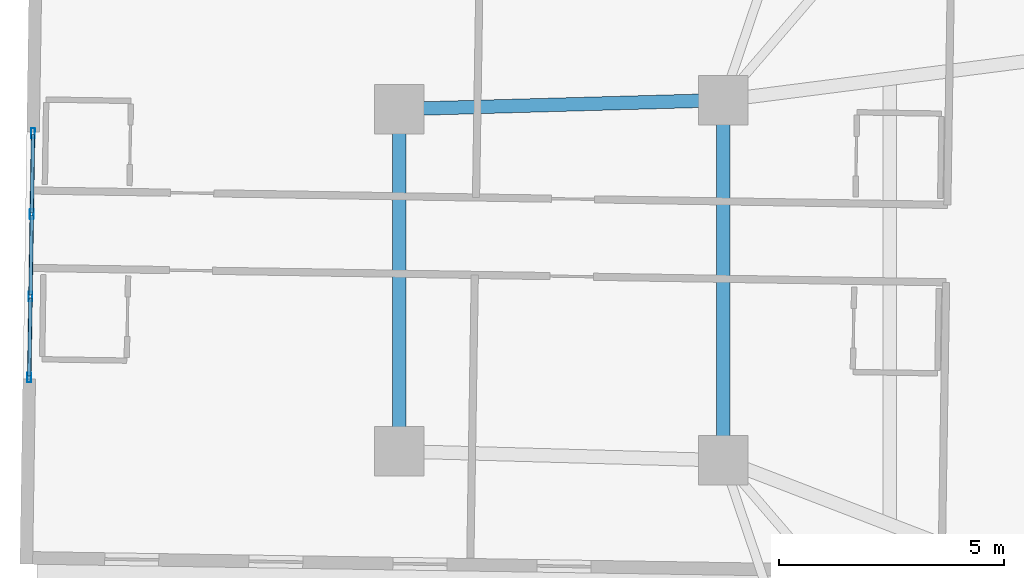
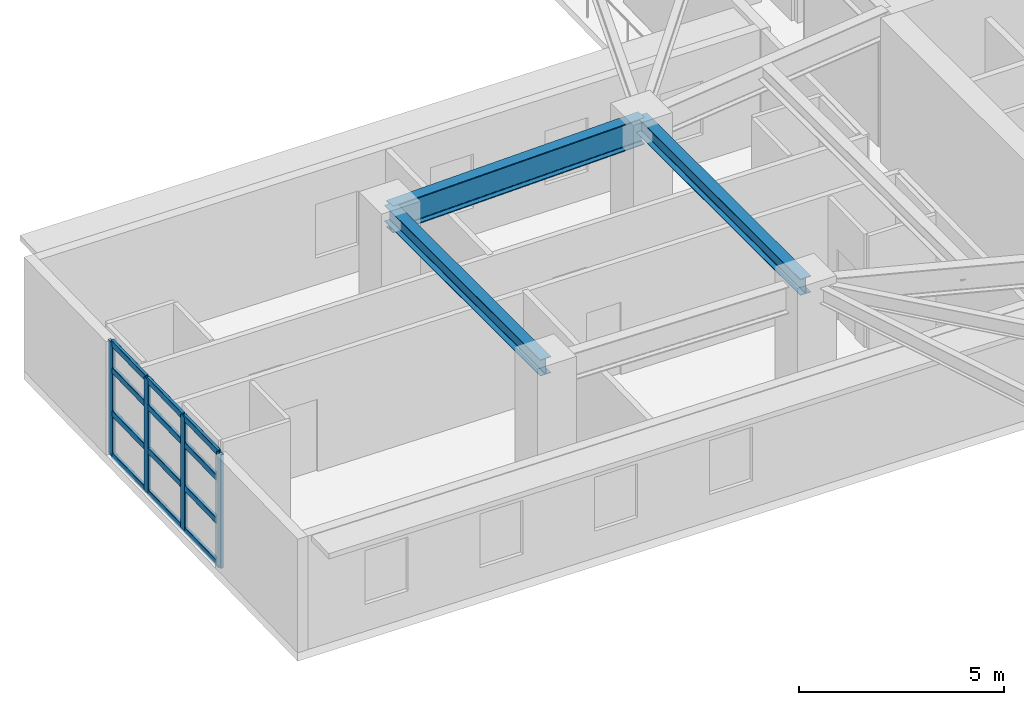
# One storey, part 6 of 22: 16 members, 3 beams, 1 element without a shape of its own.
"""IFC4 building model written with IfcOpenShell, lengths in metres."""

from ifc_helpers import new_model, si_unit, direction, frame, origin, origin_2d, place, context, subcontext, project, spatial, hollow_rectangle, i_section, extrude, material, layer, layer_set, material_profile, profile_set, type_object, element, aggregate, save


model = new_model("IFC4")

# Units and contexts
model_context = context("Model", 3, precision=1e-05, world=origin(), true_north=direction((0.0, 1.0)))
body_context = subcontext(model_context, "Body", "Model", "MODEL_VIEW")
ifc_project = project(units=[si_unit("LENGTHUNIT", "METRE"), si_unit("AREAUNIT", "SQUARE_METRE"), si_unit("VOLUMEUNIT", "CUBIC_METRE"), si_unit("PLANEANGLEUNIT", "RADIAN"), si_unit("MASSUNIT", "GRAM", prefix="KILO")], contexts=[model_context])

# Site, building, storey
site_placement = place(None, origin())
site = spatial("IfcSite", under=ifc_project, at=site_placement, CompositionType="ELEMENT")
building_placement = place(site_placement, origin())
building = spatial("IfcBuilding", under=site, at=building_placement, Name="Qingluan Cross Belvedere", CompositionType="ELEMENT")
storey_placement = place(building_placement, frame((0.0, 0.0, 100.199951171875)))
storey = spatial("IfcBuildingStorey", under=building, at=storey_placement, Name="L25", CompositionType="ELEMENT", Elevation=100.199951171875)

# Curtain wall, members
ifc_material_1 = material(Name="Thermally broken aluminium and Low-E glass", Category="aluminium")
ifc_layer = layer(ifc_material_1, 0.199951171875, Name="UnitisedCW_SkyLobbyLow")
ifc_layer_set = layer_set([ifc_layer], Name="Thermally broken aluminium and Low-E glass")
curtain_wall_type = type_object("IfcCurtainWallType", Name="UnitisedCW_SkyLobbyLow", PredefinedType="USERDEFINED", material=ifc_layer_set)
curtain_wall_placement = place(storey_placement, origin())
curtain_wall = element("IfcCurtainWall", 1, at=curtain_wall_placement, inside=storey, type_object=curtain_wall_type, Name="UnitisedCW_SkyLobbyLow run env:cw:L25:W", ObjectType="UNITISED CURTAIN WALL", PredefinedType="USERDEFINED")
ifc_material_2 = material(Name="Aluminium alloy 6063-T6", Category="aluminium")
ifc_material_profile_1 = material_profile(ifc_material_2, hollow_rectangle(XDim=0.0849609375, YDim=0.219970703125, WallThickness=0.0048828125, InnerFilletRadius=0.0048828125, OuterFilletRadius=0.010009765625, at=origin_2d()), Name="CWM220x85x5")
ifc_profile_set_1 = profile_set([ifc_material_profile_1], Name="Aluminium alloy 6063-T6")
member_type_1 = type_object("IfcMemberType", Name="CWMullion_220", PredefinedType="MULLION", material=ifc_profile_set_1)
member_1_placement = place(storey_placement, frame((-35.133056640625, 3.26611328125, 0.0), z_axis=(0.0, 0.0, 1.0), x_axis=(0.999876636479, -0.015707062874, 0.0)))
member_1 = element("IfcMember", 2, at=member_1_placement, type_object=member_type_1, Name="CW-S1 mullion 1", PredefinedType="MULLION", context=body_context, shape_type="SweptSolid", body=[
    extrude(hollow_rectangle(XDim=0.0849609375, YDim=0.219970703125, WallThickness=0.0048828125, InnerFilletRadius=0.0048828125, OuterFilletRadius=0.010009765625, at=origin_2d()), origin(), (0.0, 0.0, 1.0), 3.380126953125),
])
member_2_placement = place(storey_placement, frame((-35.161376953125, 1.467041015625, 0.0), z_axis=(0.0, 0.0, 1.0), x_axis=(0.999876636479, -0.015707062874, 0.0)))
member_2 = element("IfcMember", 3, at=member_2_placement, type_object=member_type_1, Name="CW-S1 mullion 2", PredefinedType="MULLION", context=body_context, shape_type="SweptSolid", body=[
    extrude(hollow_rectangle(XDim=0.0849609375, YDim=0.219970703125, WallThickness=0.0048828125, InnerFilletRadius=0.0048828125, OuterFilletRadius=0.010009765625, at=origin_2d()), origin(), (0.0, 0.0, 1.0), 3.380126953125),
])
member_3_placement = place(storey_placement, frame((-35.190185546875, -0.362060546875, 0.0), z_axis=(0.0, 0.0, 1.0), x_axis=(0.999876636479, -0.015707062874, 0.0)))
member_3 = element("IfcMember", 4, at=member_3_placement, type_object=member_type_1, Name="CW-S1 mullion 3", PredefinedType="MULLION", context=body_context, shape_type="SweptSolid", body=[
    extrude(hollow_rectangle(XDim=0.0849609375, YDim=0.219970703125, WallThickness=0.0048828125, InnerFilletRadius=0.0048828125, OuterFilletRadius=0.010009765625, at=origin_2d()), origin(), (0.0, 0.0, 1.0), 3.380126953125),
])
member_4_placement = place(storey_placement, frame((-35.21826171875, -2.1611328125, 0.0), z_axis=(0.0, 0.0, 1.0), x_axis=(0.999876636479, -0.015707062874, 0.0)))
member_4 = element("IfcMember", 5, at=member_4_placement, type_object=member_type_1, Name="CW-S1 mullion 4", PredefinedType="MULLION", context=body_context, shape_type="SweptSolid", body=[
    extrude(hollow_rectangle(XDim=0.0849609375, YDim=0.219970703125, WallThickness=0.0048828125, InnerFilletRadius=0.0048828125, OuterFilletRadius=0.010009765625, at=origin_2d()), origin(), (0.0, 0.0, 1.0), 3.380126953125),
])
ifc_material_3 = material(Name="Aluminium alloy 6063-T6", Category="aluminium")
ifc_material_profile_2 = material_profile(ifc_material_3, hollow_rectangle(XDim=0.0849609375, YDim=0.179931640625, WallThickness=0.00390625, InnerFilletRadius=0.00390625, OuterFilletRadius=0.008056640625, at=origin_2d()), Name="CWT180x85x4")
ifc_profile_set_2 = profile_set([ifc_material_profile_2], Name="Aluminium alloy 6063-T6")
member_type_2 = type_object("IfcMemberType", Name="CWTransom_180", PredefinedType="USERDEFINED", material=ifc_profile_set_2)
member_5_placement = place(storey_placement, frame((-35.133544921875, 3.236328125, 0.030029296875), z_axis=(-0.015719562224, -0.999876440048, 0.0), x_axis=(0.999876440048, -0.015719562224, 0.0)))
member_5 = element("IfcMember", 6, at=member_5_placement, type_object=member_type_2, Name="CW-S1 transom 1.1", ObjectType="TRANSOM", PredefinedType="USERDEFINED", context=body_context, shape_type="SweptSolid", body=[
    extrude(hollow_rectangle(XDim=0.0849609375, YDim=0.179931640625, WallThickness=0.00390625, InnerFilletRadius=0.00390625, OuterFilletRadius=0.008056640625, at=origin_2d()), origin(), (0.0, 0.0, 1.0), 1.739501953125),
])
member_6_placement = place(storey_placement, frame((-35.133544921875, 3.236328125, 1.283935546875), z_axis=(-0.015719562224, -0.999876440048, 0.0), x_axis=(0.999876440048, -0.015719562224, 0.0)))
member_6 = element("IfcMember", 7, at=member_6_placement, type_object=member_type_2, Name="CW-S1 transom 1.2", ObjectType="TRANSOM", PredefinedType="USERDEFINED", context=body_context, shape_type="SweptSolid", body=[
    extrude(hollow_rectangle(XDim=0.0849609375, YDim=0.179931640625, WallThickness=0.00390625, InnerFilletRadius=0.00390625, OuterFilletRadius=0.008056640625, at=origin_2d()), origin(), (0.0, 0.0, 1.0), 1.739501953125),
])
member_7_placement = place(storey_placement, frame((-35.133544921875, 3.236328125, 2.569091796875), z_axis=(-0.015719562224, -0.999876440048, 0.0), x_axis=(0.999876440048, -0.015719562224, 0.0)))
member_7 = element("IfcMember", 8, at=member_7_placement, type_object=member_type_2, Name="CW-S1 transom 1.3", ObjectType="TRANSOM", PredefinedType="USERDEFINED", context=body_context, shape_type="SweptSolid", body=[
    extrude(hollow_rectangle(XDim=0.0849609375, YDim=0.179931640625, WallThickness=0.00390625, InnerFilletRadius=0.00390625, OuterFilletRadius=0.008056640625, at=origin_2d()), origin(), (0.0, 0.0, 1.0), 1.739501953125),
])
member_8_placement = place(storey_placement, frame((-35.133544921875, 3.236328125, 3.35009765625), z_axis=(-0.015719562224, -0.999876440048, 0.0), x_axis=(0.999876440048, -0.015719562224, 0.0)))
member_8 = element("IfcMember", 9, at=member_8_placement, type_object=member_type_2, Name="CW-S1 transom 1.4", ObjectType="TRANSOM", PredefinedType="USERDEFINED", context=body_context, shape_type="SweptSolid", body=[
    extrude(hollow_rectangle(XDim=0.0849609375, YDim=0.179931640625, WallThickness=0.00390625, InnerFilletRadius=0.00390625, OuterFilletRadius=0.008056640625, at=origin_2d()), origin(), (0.0, 0.0, 1.0), 1.739501953125),
])
member_9_placement = place(storey_placement, frame((-35.161865234375, 1.43701171875, 0.030029296875), z_axis=(-0.015730871362, -0.999876262188, 0.0), x_axis=(0.999876262188, -0.015730871362, 0.0)))
member_9 = element("IfcMember", 10, at=member_9_placement, type_object=member_type_2, Name="CW-S1 transom 2.1", ObjectType="TRANSOM", PredefinedType="USERDEFINED", context=body_context, shape_type="SweptSolid", body=[
    extrude(hollow_rectangle(XDim=0.0849609375, YDim=0.179931640625, WallThickness=0.00390625, InnerFilletRadius=0.00390625, OuterFilletRadius=0.008056640625, at=origin_2d()), origin(), (0.0, 0.0, 1.0), 1.769287109375),
])
member_10_placement = place(storey_placement, frame((-35.161865234375, 1.43701171875, 1.283935546875), z_axis=(-0.015730871362, -0.999876262188, 0.0), x_axis=(0.999876262188, -0.015730871362, 0.0)))
member_10 = element("IfcMember", 11, at=member_10_placement, type_object=member_type_2, Name="CW-S1 transom 2.2", ObjectType="TRANSOM", PredefinedType="USERDEFINED", context=body_context, shape_type="SweptSolid", body=[
    extrude(hollow_rectangle(XDim=0.0849609375, YDim=0.179931640625, WallThickness=0.00390625, InnerFilletRadius=0.00390625, OuterFilletRadius=0.008056640625, at=origin_2d()), origin(), (0.0, 0.0, 1.0), 1.769287109375),
])
member_11_placement = place(storey_placement, frame((-35.161865234375, 1.43701171875, 2.569091796875), z_axis=(-0.015730871362, -0.999876262188, 0.0), x_axis=(0.999876262188, -0.015730871362, 0.0)))
member_11 = element("IfcMember", 12, at=member_11_placement, type_object=member_type_2, Name="CW-S1 transom 2.3", ObjectType="TRANSOM", PredefinedType="USERDEFINED", context=body_context, shape_type="SweptSolid", body=[
    extrude(hollow_rectangle(XDim=0.0849609375, YDim=0.179931640625, WallThickness=0.00390625, InnerFilletRadius=0.00390625, OuterFilletRadius=0.008056640625, at=origin_2d()), origin(), (0.0, 0.0, 1.0), 1.769287109375),
])
member_12_placement = place(storey_placement, frame((-35.161865234375, 1.43701171875, 3.35009765625), z_axis=(-0.015730871362, -0.999876262188, 0.0), x_axis=(0.999876262188, -0.015730871362, 0.0)))
member_12 = element("IfcMember", 13, at=member_12_placement, type_object=member_type_2, Name="CW-S1 transom 2.4", ObjectType="TRANSOM", PredefinedType="USERDEFINED", context=body_context, shape_type="SweptSolid", body=[
    extrude(hollow_rectangle(XDim=0.0849609375, YDim=0.179931640625, WallThickness=0.00390625, InnerFilletRadius=0.00390625, OuterFilletRadius=0.008056640625, at=origin_2d()), origin(), (0.0, 0.0, 1.0), 1.769287109375),
])
member_13_placement = place(storey_placement, frame((-35.1904296875, -0.39208984375, 0.030029296875), z_axis=(-0.015721768553, -0.999876405359, 0.0), x_axis=(0.999876405359, -0.015721768553, 0.0)))
member_13 = element("IfcMember", 14, at=member_13_placement, type_object=member_type_2, Name="CW-S1 transom 3.1", ObjectType="TRANSOM", PredefinedType="USERDEFINED", context=body_context, shape_type="SweptSolid", body=[
    extrude(hollow_rectangle(XDim=0.0849609375, YDim=0.179931640625, WallThickness=0.00390625, InnerFilletRadius=0.00390625, OuterFilletRadius=0.008056640625, at=origin_2d()), origin(), (0.0, 0.0, 1.0), 1.7392578125),
])
member_14_placement = place(storey_placement, frame((-35.1904296875, -0.39208984375, 1.283935546875), z_axis=(-0.015721768553, -0.999876405359, 0.0), x_axis=(0.999876405359, -0.015721768553, 0.0)))
member_14 = element("IfcMember", 15, at=member_14_placement, type_object=member_type_2, Name="CW-S1 transom 3.2", ObjectType="TRANSOM", PredefinedType="USERDEFINED", context=body_context, shape_type="SweptSolid", body=[
    extrude(hollow_rectangle(XDim=0.0849609375, YDim=0.179931640625, WallThickness=0.00390625, InnerFilletRadius=0.00390625, OuterFilletRadius=0.008056640625, at=origin_2d()), origin(), (0.0, 0.0, 1.0), 1.7392578125),
])
member_15_placement = place(storey_placement, frame((-35.1904296875, -0.39208984375, 2.569091796875), z_axis=(-0.015721768553, -0.999876405359, 0.0), x_axis=(0.999876405359, -0.015721768553, 0.0)))
member_15 = element("IfcMember", 16, at=member_15_placement, type_object=member_type_2, Name="CW-S1 transom 3.3", ObjectType="TRANSOM", PredefinedType="USERDEFINED", context=body_context, shape_type="SweptSolid", body=[
    extrude(hollow_rectangle(XDim=0.0849609375, YDim=0.179931640625, WallThickness=0.00390625, InnerFilletRadius=0.00390625, OuterFilletRadius=0.008056640625, at=origin_2d()), origin(), (0.0, 0.0, 1.0), 1.7392578125),
])
member_16_placement = place(storey_placement, frame((-35.1904296875, -0.39208984375, 3.35009765625), z_axis=(-0.015721768553, -0.999876405359, 0.0), x_axis=(0.999876405359, -0.015721768553, 0.0)))
member_16 = element("IfcMember", 17, at=member_16_placement, type_object=member_type_2, Name="CW-S1 transom 3.4", ObjectType="TRANSOM", PredefinedType="USERDEFINED", context=body_context, shape_type="SweptSolid", body=[
    extrude(hollow_rectangle(XDim=0.0849609375, YDim=0.179931640625, WallThickness=0.00390625, InnerFilletRadius=0.00390625, OuterFilletRadius=0.008056640625, at=origin_2d()), origin(), (0.0, 0.0, 1.0), 1.7392578125),
])
aggregate(curtain_wall, [member_1, member_2, member_3, member_4, member_5, member_6, member_7, member_8, member_9, member_10, member_11, member_12, member_13, member_14, member_15, member_16])

# Beams
ifc_material_4 = material(Name="Steel Q420GJB", Category="steel")
ifc_material_profile_3 = material_profile(ifc_material_4, i_section(OverallWidth=0.300048828125, OverallDepth=0.488037109375, WebThickness=0.010986328125, FlangeThickness=0.01806640625, FilletRadius=0.02197265625, at=origin_2d()), Name="HM488x300x11x18")
ifc_profile_set_3 = profile_set([ifc_material_profile_3], Name="Steel Q420GJB")
beam_type_1 = type_object("IfcBeamType", Name="Steel_Beam_HM488x300x11x18", PredefinedType="BEAM", material=ifc_profile_set_3)
beam_1_placement = place(storey_placement, frame((-19.800048828125, -4.0, 4.05615234375), z_axis=(0.0, 1.0, 0.0), x_axis=(-1.0, 0.0, 0.0)))
element("IfcBeam", 18, at=beam_1_placement, inside=storey, type_object=beam_type_1, Name="Arm W tie L25", PredefinedType="BEAM", context=body_context, shape_type="SweptSolid", body=[
    extrude(i_section(OverallWidth=0.300048828125, OverallDepth=0.488037109375, WebThickness=0.010986328125, FlangeThickness=0.01806640625, FilletRadius=0.02197265625, at=origin_2d()), origin(), (0.0, 0.0, 1.0), 8.0),
])
beam_2_placement = place(storey_placement, frame((-27.0, -3.800048828125, 4.05615234375), z_axis=(0.0, 1.0, 0.0), x_axis=(-1.0, 0.0, 0.0)))
element("IfcBeam", 19, at=beam_2_placement, inside=storey, type_object=beam_type_1, Name="Arm W tip transverse beam L25", PredefinedType="BEAM", context=body_context, shape_type="SweptSolid", body=[
    extrude(i_section(OverallWidth=0.300048828125, OverallDepth=0.488037109375, WebThickness=0.010986328125, FlangeThickness=0.01806640625, FilletRadius=0.02197265625, at=origin_2d()), origin(), (0.0, 0.0, 1.0), 7.60009765625),
])
ifc_material_5 = material(Name="Steel Q420GJB", Category="steel")
ifc_material_profile_4 = material_profile(ifc_material_5, i_section(OverallWidth=0.300048828125, OverallDepth=0.800048828125, WebThickness=0.015380859375, FlangeThickness=0.028076171875, FilletRadius=0.030029296875, at=origin_2d()), Name="HEB800")
ifc_profile_set_4 = profile_set([ifc_material_profile_4], Name="Steel Q420GJB")
beam_type_2 = type_object("IfcBeamType", Name="Steel_Girder_HEB800", PredefinedType="USERDEFINED", material=ifc_profile_set_4)
beam_3_placement = place(storey_placement, frame((-19.800048828125, 4.0, 3.900146484375), z_axis=(-0.999614603568, -0.027760481514, 0.0), x_axis=(0.027760481514, -0.999614603568, 0.0)))
element("IfcBeam", 20, at=beam_3_placement, inside=storey, type_object=beam_type_2, Name="Arm W outer radial girder B L25", ObjectType="GIRDER", PredefinedType="USERDEFINED", context=body_context, shape_type="SweptSolid", body=[
    extrude(i_section(OverallWidth=0.300048828125, OverallDepth=0.800048828125, WebThickness=0.015380859375, FlangeThickness=0.028076171875, FilletRadius=0.030029296875, at=origin_2d()), origin(), (0.0, 0.0, 1.0), 7.20263671875),
])

save(model, "model.ifc")
